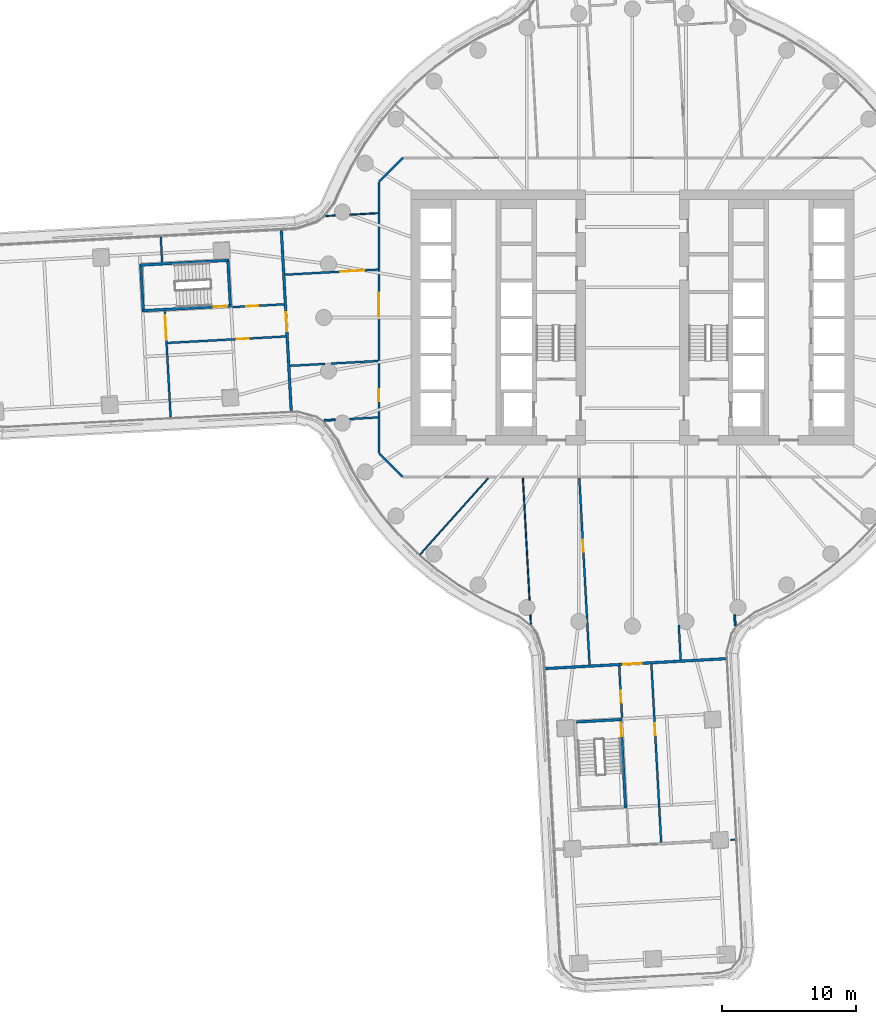
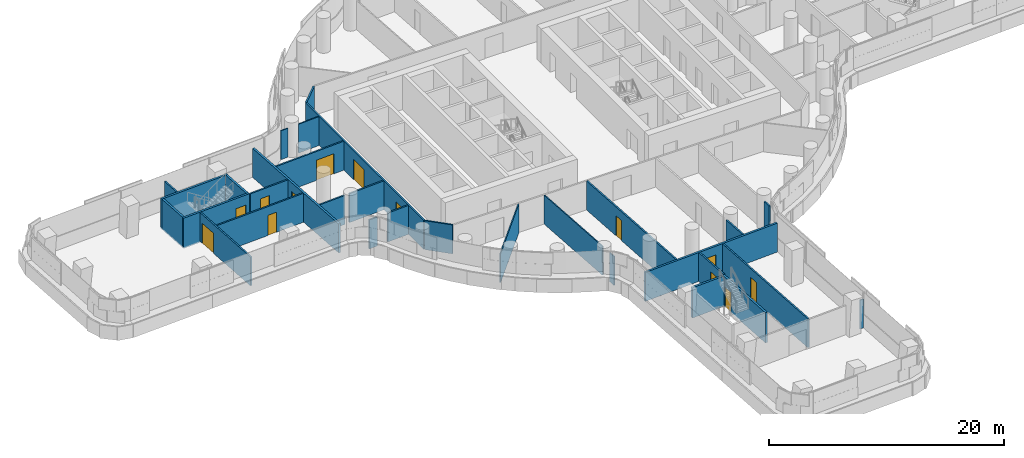
# One storey, part 19 of 31: 31 walls, 13 doors, 13 openings.
"""IFC4 building model written with IfcOpenShell, lengths in metres."""

from ifc_helpers import new_model, si_unit, direction, frame, frame_2d, origin, place, context, subcontext, project, spatial, polyline, rectangle, outline, extrude, material, layer, layer_set, type_object, element, fill, save


model = new_model("IFC4")

# Units and contexts
model_context = context("Model", 3, precision=1e-05, world=origin(), true_north=direction((0.0, 1.0)))
body_context = subcontext(model_context, "Body", "Model", "MODEL_VIEW")
ifc_project = project(units=[si_unit("LENGTHUNIT", "METRE"), si_unit("AREAUNIT", "SQUARE_METRE"), si_unit("VOLUMEUNIT", "CUBIC_METRE"), si_unit("PLANEANGLEUNIT", "RADIAN"), si_unit("MASSUNIT", "GRAM", prefix="KILO")], contexts=[model_context])

# Site, building, storey
site_placement = place(None, origin())
site = spatial("IfcSite", under=ifc_project, at=site_placement, CompositionType="ELEMENT")
building_placement = place(site_placement, origin())
building = spatial("IfcBuilding", under=site, at=building_placement, Name="Tamarind Cross Interchange Tower", CompositionType="ELEMENT")
storey_placement = place(building_placement, frame((0.0, 0.0, 45.25)))
storey = spatial("IfcBuildingStorey", under=building, at=storey_placement, Name="L09", CompositionType="ELEMENT", Elevation=45.25)

# Walls
ifc_material_1 = material(Name="Gypsum board partition on steel studs", Category="steel")
ifc_layer_1 = layer(ifc_material_1, 0.10009765625)
ifc_layer_set_1 = layer_set([ifc_layer_1], Name="Gypsum board partition on steel studs")
wall_type_1 = type_object("IfcWallType", Name="Partition 100 mm EI 90", PredefinedType="PARTITIONING", material=ifc_layer_set_1)
wall_1_placement = place(storey_placement, frame((-8.16064453125, -11.9599609375, 0.0), z_axis=(0.0, 0.0, 1.0), x_axis=(0.054635960393, -0.998506340406, 0.0)))
element("IfcWall", 1, at=wall_1_placement, inside=storey, type_object=wall_type_1, Name="Partition L09-006", PredefinedType="PARTITIONING", context=body_context, shape_type="SweptSolid", body=[
    extrude(rectangle(XDim=9.111328125, YDim=0.10009765625, at=frame_2d((4.5556640625, 0.0))), origin(), (0.0, 0.0, 1.0), 3.010009765625),
])
for number, where, z_axis, x_axis, name in (
    (2, (-7.60302734375, -22.15234375, 0.0), (0.0, 0.0, 1.0), (0.05446449316, -0.998515707931, 0.0), "Partition L09-007"),
    (3, (-22.864013671875, 7.564208984375, 0.0), (0.0, 0.0, 1.0), (0.998515707931, 0.05446449316, 0.0), "Partition L09-044"),
):
    element("IfcWall", number, at=place(storey_placement, frame(where, z_axis=z_axis, x_axis=x_axis)), inside=storey, type_object=wall_type_1, Name=name, PredefinedType="PARTITIONING", context=body_context, shape_type="SweptSolid", body=[
        extrude(rectangle(XDim=0.712646484375, YDim=0.10009765625, at=frame_2d((0.3564453125, 0.0))), origin(), (0.0, 0.0, 1.0), 3.010009765625),
    ])
wall_2_placement = place(storey_placement, frame((-21.0576171875, 7.662841796875, 0.0), z_axis=(0.0, 0.0, 1.0), x_axis=(0.998507192327, 0.05462038878, 0.0)))
element("IfcWall", 4, at=wall_2_placement, inside=storey, type_object=wall_type_1, Name="Partition L09-045", PredefinedType="PARTITIONING", context=body_context, shape_type="SweptSolid", body=[
    extrude(rectangle(XDim=2.100830078125, YDim=0.10009765625, at=frame_2d((1.05029296875, 0.0))), origin(), (0.0, 0.0, 1.0), 3.010009765625),
])
wall_3_placement = place(storey_placement, frame((7.318603515625, -38.92529296875, 0.0), z_axis=(0.0, 0.0, 1.0), x_axis=(0.99850051318, 0.054742352696, 0.0)))
element("IfcWall", 5, at=wall_3_placement, inside=storey, type_object=wall_type_1, Name="Partition L09-058", PredefinedType="PARTITIONING", context=body_context, shape_type="SweptSolid", body=[
    extrude(rectangle(XDim=0.33447265625, YDim=0.10009765625, at=frame_2d((0.167236328125, 0.0))), origin(), (0.0, 0.0, 1.0), 3.010009765625),
])
wall_4_placement = place(storey_placement, frame((-15.80810546875, -17.639892578125, 0.0), z_axis=(0.0, 0.0, 1.0), x_axis=(0.667405989545, 0.744694061423, 0.0)))
element("IfcWall", 6, at=wall_4_placement, inside=storey, type_object=wall_type_1, Name="Partition L09-073", PredefinedType="PARTITIONING", context=body_context, shape_type="SweptSolid", body=[
    extrude(rectangle(XDim=7.587646484375, YDim=0.10009765625, at=frame_2d((3.7939453125, 0.0))), origin(), (0.0, 0.0, 1.0), 3.010009765625),
])
ifc_layer_2 = layer(ifc_material_1, 0.14990234375)
ifc_layer_set_2 = layer_set([ifc_layer_2], Name="Gypsum board partition on steel studs")
wall_type_2 = type_object("IfcWallType", Name="Partition 150 mm EI 120", PredefinedType="PARTITIONING", material=ifc_layer_set_2)
wall_5_placement = place(storey_placement, frame((-35.14697265625, 5.989013671875, 0.0), z_axis=(0.0, 0.0, 1.0), x_axis=(0.054757282041, -0.998499694574, 0.0)))
element("IfcWall", 7, at=wall_5_placement, inside=storey, type_object=wall_type_2, Name="Partition L09-001", PredefinedType="PARTITIONING", context=body_context, shape_type="SweptSolid", body=[
    extrude(rectangle(XDim=1.859130859375, YDim=0.14990234375, at=frame_2d((0.9296875, 0.0))), origin(), (0.0, 0.0, 1.0), 3.010009765625),
])

# Wall, opening, door
wall_6_placement = place(storey_placement, frame((-34.843505859375, 0.45849609375, 0.0), z_axis=(0.0, 0.0, 1.0), x_axis=(0.054729357848, -0.998501225532, 0.0)))
wall_6 = element("IfcWall", 8, at=wall_6_placement, inside=storey, type_object=wall_type_2, Name="Partition L09-002", PredefinedType="PARTITIONING", context=body_context, shape_type="SweptSolid", body=[
    extrude(rectangle(XDim=7.88671875, YDim=0.14990234375, at=frame_2d((3.943359375, 0.0))), origin(), (0.0, 0.0, 1.0), 3.010009765625),
])
opening_1_placement = place(wall_6_placement, frame((0.300048828125, 0.0, 0.0)))
opening_1 = element("IfcOpeningElement", 9, at=opening_1_placement, cuts=wall_6, Name="Opening D01", PredefinedType="OPENING", context=body_context, shape_type="SweptSolid", body=[
    extrude(rectangle(XDim=1.800048828125, YDim=2.10009765625, at=frame_2d((0.89990234375, 1.050048828125))), frame((0.0, 0.0849609375, 0.0), z_axis=(0.0, -1.0, 0.0), x_axis=(1.0, 0.0, 0.0)), (0.0, 0.0, 1.0), 0.169921875),
])
ifc_material_2 = material(Name="Fire-resisting door set")
door_type_1 = type_object("IfcDoorType", Name="Interior door 1800 x 2100 FD60S", OperationType="DOUBLE_DOOR_SINGLE_SWING", PredefinedType="DOOR", material=ifc_material_2)
door_1_placement = place(opening_1_placement, frame((1.800048828125, 0.0, 0.0), z_axis=(0.0, 0.0, 1.0), x_axis=(-1.0, 0.0, 0.0)))
door_1 = element("IfcDoor", 10, at=door_1_placement, inside=storey, type_object=door_type_1, Name="Door D01", OperationType="DOUBLE_DOOR_SINGLE_SWING", OverallHeight=2.10009765625, OverallWidth=1.800048828125, PredefinedType="DOOR", context=body_context, shape_type="SweptSolid", body=[
    extrude(rectangle(XDim=1.800048828125, YDim=2.10009765625, at=frame_2d((0.89990234375, 1.050048828125))), frame((0.0, 0.02490234375, 0.0), z_axis=(0.0, -1.0, 0.0), x_axis=(1.0, 0.0, 0.0)), (0.0, 0.0, 1.0), 0.050048828125),
])
fill(opening_1, door_1)

wall_7_placement = place(storey_placement, frame((-3.95458984375, -11.9599609375, 0.0), z_axis=(0.0, 0.0, 1.0), x_axis=(0.054669425588, -0.998504508706, 0.0)))
wall_7 = element("IfcWall", 11, at=wall_7_placement, inside=storey, type_object=wall_type_2, Name="Partition L09-009", PredefinedType="PARTITIONING", context=body_context, shape_type="SweptSolid", body=[
    extrude(rectangle(XDim=13.950927734375, YDim=0.14990234375, at=frame_2d((6.9755859375, 0.0))), origin(), (0.0, 0.0, 1.0), 3.010009765625),
])
opening_2_placement = place(wall_7_placement, frame((4.590087890625, 0.0, 0.0)))
opening_2 = element("IfcOpeningElement", 12, at=opening_2_placement, cuts=wall_7, Name="Opening D03", PredefinedType="OPENING", context=body_context, shape_type="SweptSolid", body=[
    extrude(rectangle(XDim=0.89990234375, YDim=2.10009765625, at=frame_2d((0.449951171875, 1.050048828125))), frame((0.0, 0.0849609375, 0.0), z_axis=(0.0, -1.0, 0.0), x_axis=(1.0, 0.0, 0.0)), (0.0, 0.0, 1.0), 0.169921875),
])
door_type_2 = type_object("IfcDoorType", Name="Interior door 900 x 2100 FD60S", OperationType="SINGLE_SWING_LEFT", PredefinedType="DOOR", material=ifc_material_2)
door_2_placement = place(opening_2_placement, frame((0.89990234375, 0.0, 0.0), z_axis=(0.0, 0.0, 1.0), x_axis=(-1.0, 0.0, 0.0)))
door_2 = element("IfcDoor", 13, at=door_2_placement, inside=storey, type_object=door_type_2, Name="Door D03", OperationType="SINGLE_SWING_LEFT", OverallHeight=2.10009765625, OverallWidth=0.89990234375, PredefinedType="DOOR", context=body_context, shape_type="SweptSolid", body=[
    extrude(rectangle(XDim=0.89990234375, YDim=2.10009765625, at=frame_2d((0.449951171875, 1.050048828125))), frame((0.0, 0.02490234375, 0.0), z_axis=(0.0, -1.0, 0.0), x_axis=(1.0, 0.0, 0.0)), (0.0, 0.0, 1.0), 0.050048828125),
])
fill(opening_2, door_2)

wall_8_placement = place(storey_placement, frame((1.41552734375, -25.818603515625, 0.0), z_axis=(0.0, 0.0, 1.0), x_axis=(0.054663474634, -0.998504834511, 0.0)))
wall_8 = element("IfcWall", 14, at=wall_8_placement, inside=storey, type_object=wall_type_2, Name="Partition L09-013", PredefinedType="PARTITIONING", context=body_context, shape_type="SweptSolid", body=[
    extrude(rectangle(XDim=13.34521484375, YDim=0.14990234375, at=frame_2d((6.672607421875, 0.0))), origin(), (0.0, 0.0, 1.0), 3.010009765625),
])
opening_3_placement = place(wall_8_placement, frame((4.409912109375, 0.0, 0.0)))
opening_3 = element("IfcOpeningElement", 15, at=opening_3_placement, cuts=wall_8, Name="Opening D09", PredefinedType="OPENING", context=body_context, shape_type="SweptSolid", body=[
    extrude(rectangle(XDim=0.89990234375, YDim=2.10009765625, at=frame_2d((0.449951171875, 1.050048828125))), frame((0.0, 0.0849609375, 0.0), z_axis=(0.0, -1.0, 0.0), x_axis=(1.0, 0.0, 0.0)), (0.0, 0.0, 1.0), 0.169921875),
])
door_3_placement = place(opening_3_placement, origin())
door_3 = element("IfcDoor", 16, at=door_3_placement, inside=storey, type_object=door_type_2, Name="Door D09", OperationType="SINGLE_SWING_RIGHT", OverallHeight=2.10009765625, OverallWidth=0.89990234375, PredefinedType="DOOR", context=body_context, shape_type="SweptSolid", body=[
    extrude(rectangle(XDim=0.89990234375, YDim=2.10009765625, at=frame_2d((0.449951171875, 1.050048828125))), frame((0.0, 0.02490234375, 0.0), z_axis=(0.0, -1.0, 0.0), x_axis=(1.0, 0.0, 0.0)), (0.0, 0.0, 1.0), 0.050048828125),
])
fill(opening_3, door_3)

wall_9_placement = place(storey_placement, frame((-0.985107421875, -25.949951171875, 0.0), z_axis=(0.0, 0.0, 1.0), x_axis=(0.054561686513, -0.998510401731, 0.0)))
wall_9 = element("IfcWall", 17, at=wall_9_placement, inside=storey, type_object=wall_type_2, Name="Partition L09-014", PredefinedType="PARTITIONING", context=body_context, shape_type="SweptSolid", body=[
    extrude(rectangle(XDim=3.87060546875, YDim=0.14990234375, at=frame_2d((1.935302734375, 0.0))), origin(), (0.0, 0.0, 1.0), 3.010009765625),
])
opening_4_placement = place(wall_9_placement, frame((1.860107421875, 0.0, 0.0)))
opening_4 = element("IfcOpeningElement", 18, at=opening_4_placement, cuts=wall_9, Name="Opening D10", PredefinedType="OPENING", context=body_context, shape_type="SweptSolid", body=[
    extrude(rectangle(XDim=0.89990234375, YDim=2.10009765625, at=frame_2d((0.449951171875, 1.050048828125))), frame((0.0, 0.0849609375, 0.0), z_axis=(0.0, -1.0, 0.0), x_axis=(1.0, 0.0, 0.0)), (0.0, 0.0, 1.0), 0.169921875),
])
door_4_placement = place(opening_4_placement, frame((0.89990234375, 0.0, 0.0), z_axis=(0.0, 0.0, 1.0), x_axis=(-1.0, 0.0, 0.0)))
door_4 = element("IfcDoor", 19, at=door_4_placement, inside=storey, type_object=door_type_2, Name="Door D10", OperationType="SINGLE_SWING_RIGHT", OverallHeight=2.10009765625, OverallWidth=0.89990234375, PredefinedType="DOOR", context=body_context, shape_type="SweptSolid", body=[
    extrude(rectangle(XDim=0.89990234375, YDim=2.10009765625, at=frame_2d((0.449951171875, 1.050048828125))), frame((0.0, 0.02490234375, 0.0), z_axis=(0.0, -1.0, 0.0), x_axis=(1.0, 0.0, 0.0)), (0.0, 0.0, 1.0), 0.050048828125),
])
fill(opening_4, door_4)

# Walls
wall_10_placement = place(storey_placement, frame((3.45556640625, -22.918212890625, 0.0), z_axis=(0.0, 0.0, 1.0), x_axis=(0.054758548322, -0.99849962513, 0.0)))
element("IfcWall", 20, at=wall_10_placement, inside=storey, type_object=wall_type_2, Name="Partition L09-019", PredefinedType="PARTITIONING", context=body_context, shape_type="SweptSolid", body=[
    extrude(rectangle(XDim=2.603759765625, YDim=0.14990234375, at=frame_2d((1.3017578125, 0.0))), origin(), (0.0, 0.0, 1.0), 3.010009765625),
])
wall_11_placement = place(storey_placement, frame((7.6201171875, -22.156982421875, 0.0), z_axis=(0.0, 0.0, 1.0), x_axis=(0.05446449316, -0.998515707931, 0.0)))
element("IfcWall", 21, at=wall_11_placement, inside=storey, type_object=wall_type_2, Name="Partition L09-024", PredefinedType="PARTITIONING", context=body_context, shape_type="SweptSolid", body=[
    extrude(rectangle(XDim=0.8203125, YDim=0.14990234375, at=frame_2d((0.41015625, 0.0))), origin(), (0.0, 0.0, 1.0), 3.010009765625),
])
wall_12_placement = place(storey_placement, frame((-18.87158203125, -10.12841796875, 0.0), z_axis=(0.0, 0.0, 1.0), x_axis=(0.707106781187, -0.707106781187, 0.0)))
element("IfcWall", 22, at=wall_12_placement, inside=storey, type_object=wall_type_2, Name="Partition L09-030", PredefinedType="PARTITIONING", context=body_context, shape_type="SweptSolid", body=[
    extrude(rectangle(XDim=2.465087890625, YDim=0.14990234375, at=frame_2d((1.232421875, 0.0))), origin(), (0.0, 0.0, 1.0), 3.010009765625),
])

# Wall, opening, door
wall_13_placement = place(storey_placement, frame((-34.650146484375, -1.894287109375, 0.0), z_axis=(0.0, 0.0, 1.0), x_axis=(0.998505290612, 0.054655142659, 0.0)))
wall_13 = element("IfcWall", 23, at=wall_13_placement, inside=storey, type_object=wall_type_2, Name="Partition L09-036", PredefinedType="PARTITIONING", context=body_context, shape_type="SweptSolid", body=[
    extrude(rectangle(XDim=8.844482421875, YDim=0.14990234375, at=frame_2d((4.42236328125, 0.0))), origin(), (0.0, 0.0, 1.0), 3.010009765625),
])
opening_5_placement = place(wall_13_placement, frame((5.18505859375, 0.0, 0.0)))
opening_5 = element("IfcOpeningElement", 24, at=opening_5_placement, cuts=wall_13, Name="Opening D24", PredefinedType="OPENING", context=body_context, shape_type="SweptSolid", body=[
    extrude(rectangle(XDim=0.89990234375, YDim=2.10009765625, at=frame_2d((0.449951171875, 1.050048828125))), frame((0.0, 0.0849609375, 0.0), z_axis=(0.0, -1.0, 0.0), x_axis=(1.0, 0.0, 0.0)), (0.0, 0.0, 1.0), 0.169921875),
])
door_5_placement = place(opening_5_placement, frame((0.89990234375, 0.0, 0.0), z_axis=(0.0, 0.0, 1.0), x_axis=(-1.0, 0.0, 0.0)))
door_5 = element("IfcDoor", 25, at=door_5_placement, inside=storey, type_object=door_type_2, Name="Door D24", OperationType="SINGLE_SWING_RIGHT", OverallHeight=2.10009765625, OverallWidth=0.89990234375, PredefinedType="DOOR", context=body_context, shape_type="SweptSolid", body=[
    extrude(rectangle(XDim=0.89990234375, YDim=2.10009765625, at=frame_2d((0.449951171875, 1.050048828125))), frame((0.0, 0.02490234375, 0.0), z_axis=(0.0, -1.0, 0.0), x_axis=(1.0, 0.0, 0.0)), (0.0, 0.0, 1.0), 0.050048828125),
])
fill(opening_5, door_5)

wall_14_placement = place(storey_placement, frame((-29.814697265625, 0.7734375, 0.0), z_axis=(0.0, 0.0, 1.0), x_axis=(0.998503520924, 0.054687463843, 0.0)))
wall_14 = element("IfcWall", 26, at=wall_14_placement, inside=storey, type_object=wall_type_2, Name="Partition L09-038", PredefinedType="PARTITIONING", context=body_context, shape_type="SweptSolid", body=[
    extrude(rectangle(XDim=3.87060546875, YDim=0.14990234375, at=frame_2d((1.935302734375, 0.0))), origin(), (0.0, 0.0, 1.0), 3.010009765625),
])
opening_6_placement = place(wall_14_placement, frame((1.050048828125, 0.0, 0.0)))
opening_6 = element("IfcOpeningElement", 27, at=opening_6_placement, cuts=wall_14, Name="Opening D27", PredefinedType="OPENING", context=body_context, shape_type="SweptSolid", body=[
    extrude(rectangle(XDim=0.89990234375, YDim=2.10009765625, at=frame_2d((0.449951171875, 1.050048828125))), frame((0.0, 0.0849609375, 0.0), z_axis=(0.0, -1.0, 0.0), x_axis=(1.0, 0.0, 0.0)), (0.0, 0.0, 1.0), 0.169921875),
])
door_6_placement = place(opening_6_placement, origin())
door_6 = element("IfcDoor", 28, at=door_6_placement, inside=storey, type_object=door_type_2, Name="Door D27", OperationType="SINGLE_SWING_RIGHT", OverallHeight=2.10009765625, OverallWidth=0.89990234375, PredefinedType="DOOR", context=body_context, shape_type="SweptSolid", body=[
    extrude(rectangle(XDim=0.89990234375, YDim=2.10009765625, at=frame_2d((0.449951171875, 1.050048828125))), frame((0.0, 0.02490234375, 0.0), z_axis=(0.0, -1.0, 0.0), x_axis=(1.0, 0.0, 0.0)), (0.0, 0.0, 1.0), 0.050048828125),
])
fill(opening_6, door_6)

wall_15_placement = place(storey_placement, frame((-25.89013671875, 3.19189453125, 0.0), z_axis=(0.0, 0.0, 1.0), x_axis=(0.998500993822, 0.054733585091, 0.0)))
wall_15 = element("IfcWall", 29, at=wall_15_placement, inside=storey, type_object=wall_type_2, Name="Partition L09-039", PredefinedType="PARTITIONING", context=body_context, shape_type="SweptSolid", body=[
    extrude(rectangle(XDim=6.940673828125, YDim=0.14990234375, at=frame_2d((3.47021484375, 0.0))), origin(), (0.0, 0.0, 1.0), 3.010009765625),
])
opening_7_placement = place(wall_15_placement, frame((4.110107421875, 0.0, 0.0)))
opening_7 = element("IfcOpeningElement", 30, at=opening_7_placement, cuts=wall_15, Name="Opening D28", PredefinedType="OPENING", context=body_context, shape_type="SweptSolid", body=[
    extrude(rectangle(XDim=1.800048828125, YDim=2.10009765625, at=frame_2d((0.89990234375, 1.050048828125))), frame((0.0, 0.0849609375, 0.0), z_axis=(0.0, -1.0, 0.0), x_axis=(1.0, 0.0, 0.0)), (0.0, 0.0, 1.0), 0.169921875),
])
door_7_placement = place(opening_7_placement, origin())
door_7 = element("IfcDoor", 31, at=door_7_placement, inside=storey, type_object=door_type_1, Name="Door D28", OperationType="DOUBLE_DOOR_SINGLE_SWING", OverallHeight=2.10009765625, OverallWidth=1.800048828125, PredefinedType="DOOR", context=body_context, shape_type="SweptSolid", body=[
    extrude(rectangle(XDim=1.800048828125, YDim=2.10009765625, at=frame_2d((0.89990234375, 1.050048828125))), frame((0.0, 0.02490234375, 0.0), z_axis=(0.0, -1.0, 0.0), x_axis=(1.0, 0.0, 0.0)), (0.0, 0.0, 1.0), 0.050048828125),
])
fill(opening_7, door_7)

# Walls
wall_16_placement = place(storey_placement, frame((-25.51806640625, -3.59814453125, 0.0), z_axis=(0.0, 0.0, 1.0), x_axis=(0.99849534005, 0.054836629171, 0.0)))
element("IfcWall", 32, at=wall_16_placement, inside=storey, type_object=wall_type_2, Name="Partition L09-040", PredefinedType="PARTITIONING", context=body_context, shape_type="SweptSolid", body=[
    extrude(rectangle(XDim=2.6044921875, YDim=0.14990234375, at=frame_2d((1.30224609375, 0.0))), origin(), (0.0, 0.0, 1.0), 3.010009765625),
])
wall_17_placement = place(storey_placement, frame((-22.474609375, -3.43115234375, 0.0), z_axis=(0.0, 0.0, 1.0), x_axis=(0.998497685075, 0.054793912976, 0.0)))
element("IfcWall", 33, at=wall_17_placement, inside=storey, type_object=wall_type_2, Name="Partition L09-041", PredefinedType="PARTITIONING", context=body_context, shape_type="SweptSolid", body=[
    extrude(rectangle(XDim=3.52001953125, YDim=0.14990234375, at=frame_2d((1.760009765625, 0.0))), origin(), (0.0, 0.0, 1.0), 3.010009765625),
])
wall_18_placement = place(storey_placement, frame((-22.97607421875, -7.664794921875, 0.0), z_axis=(0.0, 0.0, 1.0), x_axis=(0.998515707931, 0.05446449316, 0.0)))
element("IfcWall", 34, at=wall_18_placement, inside=storey, type_object=wall_type_2, Name="Partition L09-042", PredefinedType="PARTITIONING", context=body_context, shape_type="SweptSolid", body=[
    extrude(rectangle(XDim=0.8203125, YDim=0.14990234375, at=frame_2d((0.41015625, 0.0))), origin(), (0.0, 0.0, 1.0), 3.010009765625),
])
wall_19_placement = place(storey_placement, frame((-21.084716796875, -7.5615234375, 0.0), z_axis=(0.0, 0.0, 1.0), x_axis=(0.998507642366, 0.054612161067, 0.0)))
element("IfcWall", 35, at=wall_19_placement, inside=storey, type_object=wall_type_2, Name="Partition L09-043", PredefinedType="PARTITIONING", context=body_context, shape_type="SweptSolid", body=[
    extrude(rectangle(XDim=2.1279296875, YDim=0.14990234375, at=frame_2d((1.06396484375, 0.0))), origin(), (0.0, 0.0, 1.0), 3.010009765625),
])
wall_20_placement = place(storey_placement, frame((-18.87158203125, 10.12841796875, 0.0), z_axis=(0.0, 0.0, 1.0), x_axis=(0.707106781187, 0.707106781187, 0.0)))
element("IfcWall", 36, at=wall_20_placement, inside=storey, type_object=wall_type_2, Name="Partition L09-071", PredefinedType="PARTITIONING", context=body_context, shape_type="SweptSolid", body=[
    extrude(rectangle(XDim=2.50537109375, YDim=0.14990234375, at=frame_2d((1.252685546875, 0.0))), origin(), (0.0, 0.0, 1.0), 3.010009765625),
])

# Wall, openings, doors
wall_21_placement = place(storey_placement, frame((-18.89990234375, -10.10009765625, 0.0), z_axis=(0.0, 0.0, 1.0), x_axis=(0.0, 1.0, 0.0)))
wall_21 = element("IfcWall", 37, at=wall_21_placement, inside=storey, type_object=wall_type_2, Name="Partition L09-075", PredefinedType="PARTITIONING", context=body_context, shape_type="SweptSolid", body=[
    extrude(rectangle(XDim=20.2001953125, YDim=0.14990234375, at=frame_2d((10.10009765625, 0.0))), origin(), (0.0, 0.0, 1.0), 3.010009765625),
])
opening_8_placement = place(wall_21_placement, frame((10.1650390625, 0.0, 0.0)))
opening_8 = element("IfcOpeningElement", 38, at=opening_8_placement, cuts=wall_21, Name="Opening D37", PredefinedType="OPENING", context=body_context, shape_type="SweptSolid", body=[
    extrude(rectangle(XDim=1.800048828125, YDim=2.10009765625, at=frame_2d((0.89990234375, 1.050048828125))), frame((0.0, 0.0849609375, 0.0), z_axis=(0.0, -1.0, 0.0), x_axis=(1.0, 0.0, 0.0)), (0.0, 0.0, 1.0), 0.169921875),
])
opening_9_placement = place(wall_21_placement, frame((3.85791015625, 0.0, 0.0)))
opening_9 = element("IfcOpeningElement", 39, at=opening_9_placement, cuts=wall_21, Name="Opening D38", PredefinedType="OPENING", context=body_context, shape_type="SweptSolid", body=[
    extrude(rectangle(XDim=0.89990234375, YDim=2.10009765625, at=frame_2d((0.449951171875, 1.050048828125))), frame((0.0, 0.0849609375, 0.0), z_axis=(0.0, -1.0, 0.0), x_axis=(1.0, 0.0, 0.0)), (0.0, 0.0, 1.0), 0.169921875),
])
door_8_placement = place(opening_8_placement, frame((1.800048828125, 0.0, 0.0), z_axis=(0.0, 0.0, 1.0), x_axis=(-1.0, 0.0, 0.0)))
door_8 = element("IfcDoor", 40, at=door_8_placement, inside=storey, type_object=door_type_1, Name="Door D37", OperationType="DOUBLE_DOOR_SINGLE_SWING", OverallHeight=2.10009765625, OverallWidth=1.800048828125, PredefinedType="DOOR", context=body_context, shape_type="SweptSolid", body=[
    extrude(rectangle(XDim=1.800048828125, YDim=2.10009765625, at=frame_2d((0.89990234375, 1.050048828125))), frame((0.0, 0.02490234375, 0.0), z_axis=(0.0, -1.0, 0.0), x_axis=(1.0, 0.0, 0.0)), (0.0, 0.0, 1.0), 0.050048828125),
])
fill(opening_8, door_8)
door_9_placement = place(opening_9_placement, origin())
door_9 = element("IfcDoor", 41, at=door_9_placement, inside=storey, type_object=door_type_2, Name="Door D38", OperationType="SINGLE_SWING_RIGHT", OverallHeight=2.10009765625, OverallWidth=0.89990234375, PredefinedType="DOOR", context=body_context, shape_type="SweptSolid", body=[
    extrude(rectangle(XDim=0.89990234375, YDim=2.10009765625, at=frame_2d((0.449951171875, 1.050048828125))), frame((0.0, 0.02490234375, 0.0), z_axis=(0.0, -1.0, 0.0), x_axis=(1.0, 0.0, 0.0)), (0.0, 0.0, 1.0), 0.050048828125),
])
fill(opening_9, door_9)

# Wall, opening, door
ifc_layer_3 = layer(ifc_material_1, 0.199951171875)
ifc_layer_set_3 = layer_set([ifc_layer_3], Name="Gypsum board partition on steel studs")
wall_type_3 = type_object("IfcWallType", Name="Partition 200 mm EI 180", PredefinedType="PARTITIONING", material=ifc_layer_set_3)
wall_22_placement = place(storey_placement, frame((-26.160888671875, 6.481201171875, 0.0), z_axis=(0.0, 0.0, 1.0), x_axis=(0.054709718772, -0.998502301786, 0.0)))
wall_22 = element("IfcWall", 42, at=wall_22_placement, inside=storey, type_object=wall_type_3, Name="Partition L09-003", PredefinedType="PARTITIONING", context=body_context, shape_type="SweptSolid", body=[
    extrude(rectangle(XDim=13.4453125, YDim=0.199951171875, at=frame_2d((6.72265625, 0.0))), origin(), (0.0, 0.0, 1.0), 3.010009765625),
])
opening_10_placement = place(wall_22_placement, frame((6.099365234375, 0.0, 0.0)))
opening_10 = element("IfcOpeningElement", 43, at=opening_10_placement, cuts=wall_22, Name="Opening D02", PredefinedType="OPENING", context=body_context, shape_type="SweptSolid", body=[
    extrude(rectangle(XDim=1.39990234375, YDim=2.10009765625, at=frame_2d((0.699951171875, 1.050048828125))), frame((0.0, 0.10986328125, 0.0), z_axis=(0.0, -1.0, 0.0), x_axis=(1.0, 0.0, 0.0)), (0.0, 0.0, 1.0), 0.219970703125),
])
door_type_3 = type_object("IfcDoorType", Name="Interior door 1400 x 2100 FD120S", OperationType="DOUBLE_DOOR_SINGLE_SWING", PredefinedType="DOOR", material=ifc_material_2)
door_10_placement = place(opening_10_placement, origin())
door_10 = element("IfcDoor", 44, at=door_10_placement, inside=storey, type_object=door_type_3, Name="Door D02", OperationType="DOUBLE_DOOR_SINGLE_SWING", OverallHeight=2.10009765625, OverallWidth=1.39990234375, PredefinedType="DOOR", context=body_context, shape_type="SweptSolid", body=[
    extrude(rectangle(XDim=1.39990234375, YDim=2.10009765625, at=frame_2d((0.699951171875, 1.050048828125))), frame((0.0, 0.02490234375, 0.0), z_axis=(0.0, -1.0, 0.0), x_axis=(1.0, 0.0, 0.0)), (0.0, 0.0, 1.0), 0.050048828125),
])
fill(opening_10, door_10)

wall_23_placement = place(storey_placement, frame((-6.481201171875, -26.160888671875, 0.0), z_axis=(0.0, 0.0, 1.0), x_axis=(0.998502301786, 0.054709718772, 0.0)))
wall_23 = element("IfcWall", 45, at=wall_23_placement, inside=storey, type_object=wall_type_3, Name="Partition L09-055", PredefinedType="PARTITIONING", context=body_context, shape_type="SweptSolid", body=[
    extrude(rectangle(XDim=13.4453125, YDim=0.199951171875, at=frame_2d((6.72265625, 0.0))), origin(), (0.0, 0.0, 1.0), 3.010009765625),
])
opening_11_placement = place(wall_23_placement, frame((5.79931640625, 0.0, 0.0)))
opening_11 = element("IfcOpeningElement", 46, at=opening_11_placement, cuts=wall_23, Name="Opening D32", PredefinedType="OPENING", context=body_context, shape_type="SweptSolid", body=[
    extrude(rectangle(XDim=1.39990234375, YDim=2.10009765625, at=frame_2d((0.699951171875, 1.050048828125))), frame((0.0, 0.10986328125, 0.0), z_axis=(0.0, -1.0, 0.0), x_axis=(1.0, 0.0, 0.0)), (0.0, 0.0, 1.0), 0.219970703125),
])
door_11_placement = place(opening_11_placement, origin())
door_11 = element("IfcDoor", 47, at=door_11_placement, inside=storey, type_object=door_type_3, Name="Door D32", OperationType="DOUBLE_DOOR_SINGLE_SWING", OverallHeight=2.10009765625, OverallWidth=1.39990234375, PredefinedType="DOOR", context=body_context, shape_type="SweptSolid", body=[
    extrude(rectangle(XDim=1.39990234375, YDim=2.10009765625, at=frame_2d((0.699951171875, 1.050048828125))), frame((0.0, 0.02490234375, 0.0), z_axis=(0.0, -1.0, 0.0), x_axis=(1.0, 0.0, 0.0)), (0.0, 0.0, 1.0), 0.050048828125),
])
fill(opening_11, door_11)

ifc_material_3 = material(Name="Concrete C40", Category="concrete")
ifc_layer_4 = layer(ifc_material_3, 0.199951171875)
ifc_layer_set_4 = layer_set([ifc_layer_4], Name="Concrete C40")
wall_type_4 = type_object("IfcWallType", Name="Stair shaft wall 200 mm Concrete C40", PredefinedType="SHEAR", material=ifc_layer_set_4)
wall_24_placement = place(storey_placement, frame((-29.859375, 0.87158203125, -0.139892578125), z_axis=(0.0, 0.0, 1.0), x_axis=(-0.9985031066, -0.05469502821, 0.0)))
wall_24 = element("IfcWall", 48, at=wall_24_placement, inside=storey, type_object=wall_type_4, Name="Core wall CWL-L09-ST5-H", PredefinedType="SHEAR", context=body_context, shape_type="SweptSolid", body=[
    extrude(rectangle(XDim=6.699951171875, YDim=0.199951171875, at=frame_2d((3.35009765625, 0.0))), origin(), (0.0, 0.0, 1.0), 3.14990234375),
])
opening_12_placement = place(wall_24_placement, frame((0.35009765625, 0.0, 0.0)))
opening_12 = element("IfcOpeningElement", 49, at=opening_12_placement, cuts=wall_24, Name="Opening ST5L09", PredefinedType="OPENING", context=body_context, shape_type="SweptSolid", body=[
    extrude(rectangle(XDim=1.0, YDim=2.10009765625, at=frame_2d((0.5, 1.050048828125))), frame((0.0, 0.10986328125, 0.0), z_axis=(0.0, -1.0, 0.0), x_axis=(1.0, 0.0, 0.0)), (0.0, 0.0, 1.0), 0.219970703125),
])
ifc_material_4 = material(Name="Steel, fire-resisting", Category="steel")
door_type_4 = type_object("IfcDoorType", Name="Core fire door 1000 x 2100 FD90", OperationType="SINGLE_SWING_LEFT", PredefinedType="DOOR", material=ifc_material_4)
door_12_placement = place(opening_12_placement, origin())
door_12 = element("IfcDoor", 50, at=door_12_placement, inside=storey, type_object=door_type_4, Name="L09 stair door ST5", OperationType="SINGLE_SWING_LEFT", OverallHeight=2.10009765625, OverallWidth=1.0, PredefinedType="DOOR", context=body_context, shape_type="SweptSolid", body=[
    extrude(rectangle(XDim=1.0, YDim=2.10009765625, at=frame_2d((0.5, 1.050048828125))), frame((0.0, 0.02490234375, 0.0), z_axis=(0.0, -1.0, 0.0), x_axis=(1.0, 0.0, 0.0)), (0.0, 0.0, 1.0), 0.050048828125),
])
fill(opening_12, door_12)

# Walls
wall_25_placement = place(storey_placement, frame((-30.04541015625, 4.2666015625, -0.139892578125), z_axis=(0.0, 0.0, 1.0), x_axis=(-0.9985031066, -0.05469502821, 0.0)))
element("IfcWall", 51, at=wall_25_placement, inside=storey, type_object=wall_type_4, Name="Core wall CWL-L09-ST5-C", PredefinedType="SHEAR", context=body_context, shape_type="SweptSolid", body=[
    extrude(rectangle(XDim=6.699951171875, YDim=0.199951171875, at=frame_2d((3.35009765625, 0.0))), origin(), (0.0, 0.0, 1.0), 3.14990234375),
])
wall_26_placement = place(storey_placement, frame((-30.1396484375, 4.1611328125, -0.139892578125), z_axis=(0.0, 0.0, 1.0), x_axis=(0.054700985136, -0.998502780279, 0.0)))
element("IfcWall", 52, at=wall_26_placement, inside=storey, type_object=wall_type_4, Name="Core wall CWL-L09-ST5-CE", PredefinedType="SHEAR", context=body_context, shape_type="SweptSolid", body=[
    extrude(rectangle(XDim=3.2001953125, YDim=0.199951171875, at=frame_2d((1.60009765625, 0.0))), origin(), (0.0, 0.0, 1.0), 3.14990234375),
])
wall_27_placement = place(storey_placement, frame((0.0, 0.0, -0.139892578125)))
element("IfcWall", 53, at=wall_27_placement, inside=storey, type_object=wall_type_4, Name="Core wall CWL-L09-ST5-CF", PredefinedType="SHEAR", context=body_context, shape_type="SweptSolid", body=[
    extrude(outline(polyline([(-36.530029296875, 3.811279296875), (-36.729736328125, 3.80029296875), (-36.554931640625, 0.60498046875), (-36.355224609375, 0.615966796875), (-36.530029296875, 3.811279296875)])), origin(), (0.0, 0.0, 1.0), 3.14990234375),
])

# Wall, opening, door
wall_28_placement = place(storey_placement, frame((-0.87158203125, -29.859375, -0.139892578125), z_axis=(0.0, 0.0, 1.0), x_axis=(0.05469502821, -0.9985031066, 0.0)))
wall_28 = element("IfcWall", 54, at=wall_28_placement, inside=storey, type_object=wall_type_4, Name="Core wall CWL-L09-ST6-H", PredefinedType="SHEAR", context=body_context, shape_type="SweptSolid", body=[
    extrude(rectangle(XDim=6.699951171875, YDim=0.199951171875, at=frame_2d((3.35009765625, 0.0))), origin(), (0.0, 0.0, 1.0), 3.14990234375),
])
opening_13_placement = place(wall_28_placement, frame((0.35009765625, 0.0, 0.0)))
opening_13 = element("IfcOpeningElement", 55, at=opening_13_placement, cuts=wall_28, Name="Opening ST6L09", PredefinedType="OPENING", context=body_context, shape_type="SweptSolid", body=[
    extrude(rectangle(XDim=1.0, YDim=2.10009765625, at=frame_2d((0.5, 1.050048828125))), frame((0.0, 0.10986328125, 0.0), z_axis=(0.0, -1.0, 0.0), x_axis=(1.0, 0.0, 0.0)), (0.0, 0.0, 1.0), 0.219970703125),
])
door_13_placement = place(opening_13_placement, origin())
door_13 = element("IfcDoor", 56, at=door_13_placement, inside=storey, type_object=door_type_4, Name="L09 stair door ST6", OperationType="SINGLE_SWING_LEFT", OverallHeight=2.10009765625, OverallWidth=1.0, PredefinedType="DOOR", context=body_context, shape_type="SweptSolid", body=[
    extrude(rectangle(XDim=1.0, YDim=2.10009765625, at=frame_2d((0.5, 1.050048828125))), frame((0.0, 0.02490234375, 0.0), z_axis=(0.0, -1.0, 0.0), x_axis=(1.0, 0.0, 0.0)), (0.0, 0.0, 1.0), 0.050048828125),
])
fill(opening_13, door_13)

# Wall
wall_29_placement = place(storey_placement, frame((-4.1611328125, -30.1396484375, -0.139892578125), z_axis=(0.0, 0.0, 1.0), x_axis=(0.998502780279, 0.054700985136, 0.0)))
element("IfcWall", 57, at=wall_29_placement, inside=storey, type_object=wall_type_4, Name="Core wall CWL-L09-ST6-CE", PredefinedType="SHEAR", context=body_context, shape_type="SweptSolid", body=[
    extrude(rectangle(XDim=3.2001953125, YDim=0.199951171875, at=frame_2d((1.60009765625, 0.0))), origin(), (0.0, 0.0, 1.0), 3.14990234375),
])

save(model, "model.ifc")
